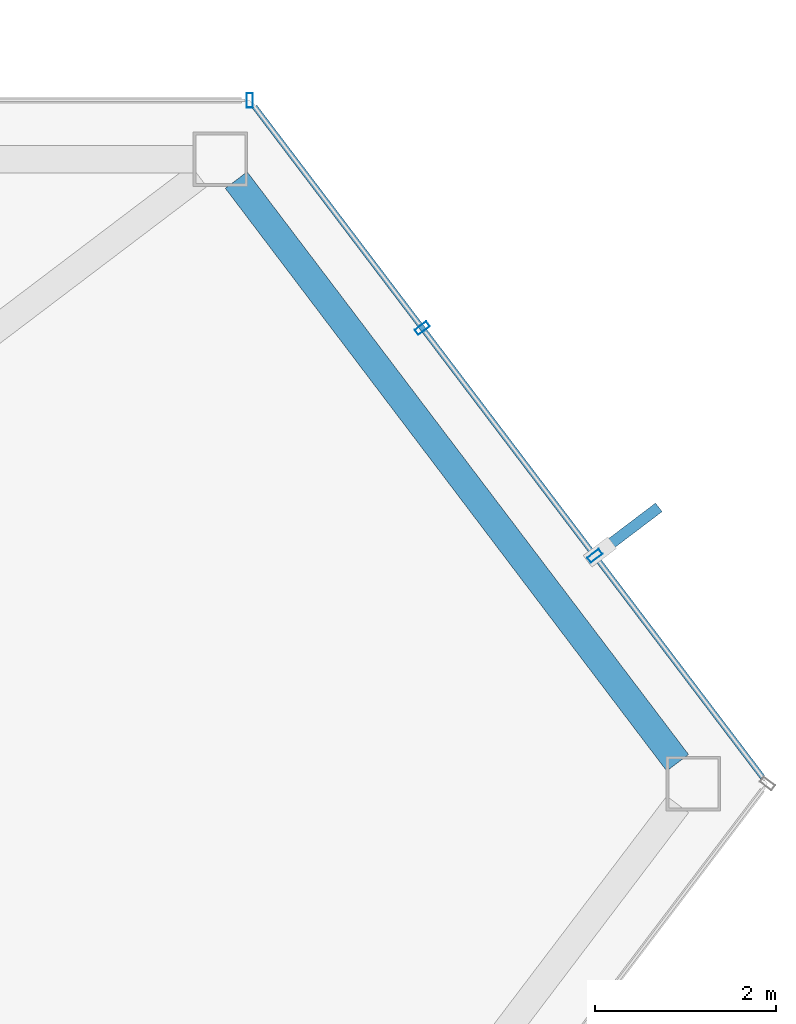
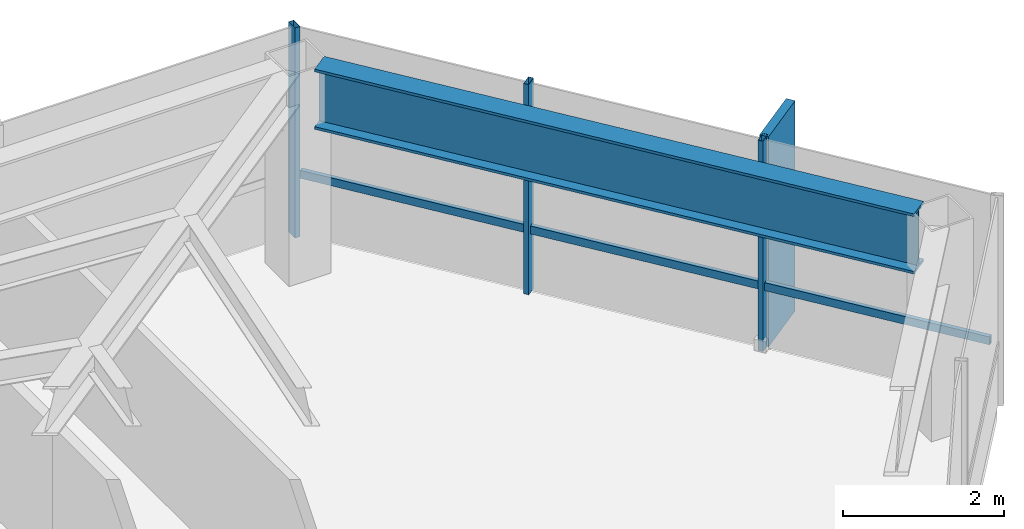
# One storey, part 20 of 25: 5 members, 1 beam, 2 elements without a shape of their own.
"""IFC4 building model written with IfcOpenShell, lengths in metres."""

import ifcopenshell
import ifcopenshell.guid

model = None  # the IFC model being written
_history = None  # IfcOwnerHistory: only IFC2X3 demands one
_inside = {}  # id of a spatial element -> (the spatial element, [elements in it])
_under = {}  # id of a project, library or spatial element -> (it, [spatial elements below it])
_declared = {}  # id of a project -> (the project, [libraries it declares])
_typed = {}  # id of a type object -> (the type object, [elements of that type])
_made_of = {}  # id of a material, layer set ... -> (it, [elements and type objects made of it])


def new_model(schema):
    """Start an empty IFC model of exactly this schema.

    Asked for "IFC4X3", IfcOpenShell would pick the latest addendum, in which some entities
    have other attributes; the version numbers below select the first issue.
    IFC2X3 requires an IfcOwnerHistory on every rooted entity: one is made here for all.
    """
    global model, _history
    if schema == "IFC4X3":
        model = ifcopenshell.file(schema_version=(4, 3, 0, 0))
    else:
        model = ifcopenshell.file(schema=schema)
    _inside.clear()
    _under.clear()
    _declared.clear()
    _typed.clear()
    _made_of.clear()
    _history = None
    if model.schema == "IFC2X3":
        org = make("IfcOrganization", Name="unknown")
        user = make(
            "IfcPersonAndOrganization",
            ThePerson=make("IfcPerson", FamilyName="unknown"),
            TheOrganization=org,
        )
        app = make(
            "IfcApplication",
            ApplicationDeveloper=org,
            Version="unknown",
            ApplicationFullName="unknown",
            ApplicationIdentifier="unknown",
        )
        _history = make(
            "IfcOwnerHistory",
            OwningUser=user,
            OwningApplication=app,
            ChangeAction="ADDED",
            CreationDate=0,
        )
    return model


def make(cls, **values):
    """One entity of the class cls with the attributes given. An attribute that is None is left unset."""
    return model.create_entity(
        cls, **{name: value for name, value in values.items() if value is not None}
    )


def rooted(cls, **values):
    """An entity with a GlobalId (a new one), such as an element, a storey or a relation."""
    return make(cls, GlobalId=ifcopenshell.guid.new(), OwnerHistory=_history, **values)


def si_unit(unit_type, name, prefix=None):
    """IfcSIUnit, for example si_unit("LENGTHUNIT", "METRE", prefix="MILLI")."""
    return make("IfcSIUnit", UnitType=unit_type, Prefix=prefix, Name=name)


def assignment(units):
    """IfcUnitAssignment: the units of a project."""
    return None if units is None else make("IfcUnitAssignment", Units=units)


def point(xyz):
    """IfcCartesianPoint."""
    return None if xyz is None else make("IfcCartesianPoint", Coordinates=xyz)


def direction(xyz):
    """IfcDirection."""
    return None if xyz is None else make("IfcDirection", DirectionRatios=xyz)


def frame(location, z_axis=None, x_axis=None):
    """IfcAxis2Placement3D, a coordinate frame: its origin and axes. An axis left out is left unset."""
    return make(
        "IfcAxis2Placement3D",
        Location=point(location),
        Axis=direction(z_axis),
        RefDirection=direction(x_axis),
    )


def frame_2d(location, x_axis=None):
    """IfcAxis2Placement2D, a coordinate frame in the plane: its origin and x axis."""
    return make(
        "IfcAxis2Placement2D", Location=point(location), RefDirection=direction(x_axis)
    )


def origin():
    """The frame at (0, 0, 0) with its axes left unset."""
    return frame((0.0, 0.0, 0.0))


def origin_2d():
    """The frame at (0, 0) in the plane with its x axis left unset."""
    return frame_2d((0.0, 0.0))


def place(relative_to, where):
    """IfcLocalPlacement: puts the frame where relative to a parent placement (None: the world)."""
    return make(
        "IfcLocalPlacement", PlacementRelTo=relative_to, RelativePlacement=where
    )


def context(
    kind, dimensions, precision=None, world=None, true_north=None, identifier=None
):
    """IfcGeometricRepresentationContext, for example the 3D "Model" context."""
    return make(
        "IfcGeometricRepresentationContext",
        ContextIdentifier=identifier,
        ContextType=kind,
        CoordinateSpaceDimension=dimensions,
        Precision=precision,
        WorldCoordinateSystem=world,
        TrueNorth=true_north,
    )


def subcontext(parent, identifier, kind, view, scale=None):
    """IfcGeometricRepresentationSubContext, for example "Body" below "Model"."""
    return make(
        "IfcGeometricRepresentationSubContext",
        ContextIdentifier=identifier,
        ContextType=kind,
        ParentContext=parent,
        TargetScale=scale,
        TargetView=view,
    )


def project(units=None, contexts=None):
    """IfcProject with its units and contexts."""
    return rooted(
        "IfcProject",
        Name="project",
        RepresentationContexts=contexts,
        UnitsInContext=assignment(units),
    )


def spatial(cls, under=None, at=None, **own):
    """A site, building, storey or space (cls), placed at a placement, below another one or the project."""
    s = rooted(cls, ObjectPlacement=at, **own)
    if under is not None:
        _under.setdefault(under.id(), (under, []))[1].append(s)
    return s


def profile(cls, at=None, kind="AREA", **sizes):
    """A parametric profile (cls). Its sizes go by their IFC names, for example OverallWidth=200.0."""
    return make(cls, ProfileType=kind, Position=at, **sizes)


def rectangle(**sizes):
    """IfcRectangleProfileDef."""
    return profile("IfcRectangleProfileDef", **sizes)


def hollow_rectangle(**sizes):
    """IfcRectangleHollowProfileDef."""
    return profile("IfcRectangleHollowProfileDef", **sizes)


def i_section(**sizes):
    """IfcIShapeProfileDef."""
    return profile("IfcIShapeProfileDef", **sizes)


def extrude(swept, where, along, depth):
    """IfcExtrudedAreaSolid: the profile swept, set in the frame where, extruded along a direction by depth."""
    return make(
        "IfcExtrudedAreaSolid",
        SweptArea=swept,
        Position=where,
        ExtrudedDirection=direction(along),
        Depth=depth,
    )


def shape(context_of_items, identifier, shape_type, items):
    """IfcShapeRepresentation: the items that make up one representation, for example the "Body"."""
    return make(
        "IfcShapeRepresentation",
        ContextOfItems=context_of_items,
        RepresentationIdentifier=identifier,
        RepresentationType=shape_type,
        Items=items,
    )


def material(Name=None, Category=None):
    """IfcMaterial."""
    return make("IfcMaterial", Name=Name, Category=Category)


def layer(
    of_material, thickness, ventilated=None, Name=None, Category=None, Priority=None
):
    """IfcMaterialLayer: one layer of a wall or slab, of a material (None: an air gap)."""
    return make(
        "IfcMaterialLayer",
        Material=of_material,
        LayerThickness=thickness,
        IsVentilated=ventilated,
        Name=Name,
        Category=Category,
        Priority=Priority,
    )


def layer_set(layers, Name=None):
    """IfcMaterialLayerSet."""
    return make("IfcMaterialLayerSet", MaterialLayers=layers, LayerSetName=Name)


def material_profile(
    of_material, cross_section, Name=None, Category=None, Priority=None
):
    """IfcMaterialProfile: a cross section and its material."""
    return make(
        "IfcMaterialProfile",
        Name=Name,
        Material=of_material,
        Profile=cross_section,
        Priority=Priority,
        Category=Category,
    )


def profile_set(profiles, Name=None, composite=None):
    """IfcMaterialProfileSet."""
    return make(
        "IfcMaterialProfileSet",
        Name=Name,
        MaterialProfiles=profiles,
        CompositeProfile=composite,
    )


def made_of(thing, what):
    """Note that an element or type object is made of a material, layer set ...; save() writes the relation."""
    if what is not None:
        _made_of.setdefault(what.id(), (what, []))[1].append(thing)
    return thing


def type_object(cls, material=None, **own):
    """A type object (cls), such as IfcWallType, which elements share."""
    return made_of(rooted(cls, **own), material)


def element(
    cls,
    number,
    at=None,
    inside=None,
    cuts=None,
    type_object=None,
    material=None,
    context=None,
    identifier="Body",
    shape_type=None,
    held_by="IfcProductDefinitionShape",
    body=None,
    shapes=None,
    **own,
):
    """One element of the class cls, such as IfcWall. Its Tag is "e" and its number.

    at: its placement. inside: the storey or other place that contains it. cuts: it is an
    opening in that element (IfcRelVoidsElement). A single representation is given by context,
    identifier, shape_type and body (its items); several are given by shapes. held_by: the class
    of the entity that holds the representations. save() writes the other relations.
    """
    e = rooted(cls, Tag="e%d" % number, ObjectPlacement=at, **own)
    if body is not None:
        shapes = [shape(context, identifier, shape_type, body)]
    if shapes is not None:
        e.Representation = make(held_by, Representations=shapes)
    if inside is not None:
        _inside.setdefault(inside.id(), (inside, []))[1].append(e)
    if cuts is not None:
        rooted(
            "IfcRelVoidsElement", RelatingBuildingElement=cuts, RelatedOpeningElement=e
        )
    if type_object is not None:
        _typed.setdefault(type_object.id(), (type_object, []))[1].append(e)
    return made_of(e, material)


def aggregate(whole, parts):
    """IfcRelAggregates: a whole, such as a stair, and the parts it consists of."""
    return rooted("IfcRelAggregates", RelatingObject=whole, RelatedObjects=parts)


def save(model, path):
    """Write the relations noted so far, then the file.

    IfcRelAggregates (storeys below a building ...), IfcRelContainedInSpatialStructure (elements
    in a storey), IfcRelDefinesByType, IfcRelAssociatesMaterial and IfcRelDeclares: one each for
    every whole, place, type object, material and project.
    """
    for whole, parts in _under.values():
        aggregate(whole, parts)
    for where, things in _inside.values():
        rooted(
            "IfcRelContainedInSpatialStructure",
            RelatedElements=things,
            RelatingStructure=where,
        )
    for kind, things in _typed.values():
        rooted("IfcRelDefinesByType", RelatedObjects=things, RelatingType=kind)
    for what, things in _made_of.values():
        rooted("IfcRelAssociatesMaterial", RelatedObjects=things, RelatingMaterial=what)
    for by, libraries in _declared.values():
        rooted("IfcRelDeclares", RelatingContext=by, RelatedDefinitions=libraries)
    model.write(path)


model = new_model("IFC4")

# Units and contexts
model_context = context("Model", 3, precision=1e-05, world=origin(), true_north=direction((0.0, 1.0)))
body_context = subcontext(model_context, "Body", "Model", "MODEL_VIEW")
ifc_project = project(units=[si_unit("LENGTHUNIT", "METRE"), si_unit("AREAUNIT", "SQUARE_METRE"), si_unit("VOLUMEUNIT", "CUBIC_METRE"), si_unit("PLANEANGLEUNIT", "RADIAN"), si_unit("MASSUNIT", "GRAM", prefix="KILO")], contexts=[model_context])

# Site, building, storey
site_placement = place(None, origin())
site = spatial("IfcSite", under=ifc_project, at=site_placement, CompositionType="ELEMENT")
building_placement = place(site_placement, origin())
building = spatial("IfcBuilding", under=site, at=building_placement, Name="Zarrinselat Tower", CompositionType="ELEMENT")
storey_placement = place(building_placement, frame((0.0, 0.0, 208.760009765625)))
storey = spatial("IfcBuildingStorey", under=building, at=storey_placement, Name="L51", CompositionType="ELEMENT", Elevation=208.760009765625)

# Beam
ifc_material_1 = material(Name="Steel S460M", Category="steel")
ifc_material_profile_1 = material_profile(ifc_material_1, i_section(OverallWidth=0.302001953125, OverallDepth=0.909912109375, WebThickness=0.02099609375, FlangeThickness=0.0400390625, at=origin_2d()), Name="HEM 900")
ifc_profile_set_1 = profile_set([ifc_material_profile_1], Name="Steel S460M")
beam_type = type_object("IfcBeamType", Name="BM-HEM900", PredefinedType="BEAM", material=ifc_profile_set_1)
beam_placement = place(storey_placement, frame((56.39208984375, 47.531494140625, 2.72509765625), z_axis=(0.603860604032, -0.797089939027, 0.0), x_axis=(0.797089939027, 0.603860604032, 0.0)))
element("IfcBeam", 1, at=beam_placement, inside=storey, type_object=beam_type, Name="L51 Perimeter Spandrel Girder SP15", PredefinedType="BEAM", context=body_context, shape_type="SweptSolid", body=[
    extrude(i_section(OverallWidth=0.302001953125, OverallDepth=0.909912109375, WebThickness=0.02099609375, FlangeThickness=0.0400390625, at=origin_2d()), origin(), (0.0, 0.0, 1.0), 8.059814453125),
])

# Curtain wall, member
ifc_material_2 = material(Name="Extruded Aluminium Alloy EN AW-6063 T6", Category="aluminium")
ifc_layer = layer(ifc_material_2, 0.169921875)
ifc_layer_set = layer_set([ifc_layer], Name="Extruded Aluminium Alloy EN AW-6063 T6")
curtain_wall_type = type_object("IfcCurtainWallType", Name="CWS-RES", PredefinedType="NOTDEFINED", material=ifc_layer_set)
curtain_wall_1_placement = place(storey_placement, origin())
curtain_wall_1 = element("IfcCurtainWall", 2, at=curtain_wall_1_placement, inside=storey, type_object=curtain_wall_type, Name="L51 Unitised Curtain Wall CW-L51-E01", PredefinedType="NOTDEFINED")
ifc_material_3 = material(Name="Extruded Aluminium Alloy EN AW-6063 T6", Category="aluminium")
ifc_material_profile_2 = material_profile(ifc_material_3, hollow_rectangle(XDim=0.070068359375, YDim=0.159912109375, WallThickness=0.00390625, at=origin_2d()), Name="RHS 160x70x4")
ifc_profile_set_2 = profile_set([ifc_material_profile_2], Name="Extruded Aluminium Alloy EN AW-6063 T6")
member_type_1 = type_object("IfcMemberType", Name="MEM-CW-MUL2", PredefinedType="MULLION", material=ifc_profile_set_2)
member_1_placement = place(storey_placement, frame((56.541259765625, 48.4111328125, 0.0), z_axis=(0.0, 0.0, 1.0), x_axis=(-1.0, 0.0, 0.0)))
member_1 = element("IfcMember", 3, at=member_1_placement, type_object=member_type_1, Name="CW-L51-E01 Mullion 0", PredefinedType="MULLION", context=body_context, shape_type="SweptSolid", body=[
    extrude(hollow_rectangle(XDim=0.070068359375, YDim=0.159912109375, WallThickness=0.00390625, at=origin_2d()), origin(), (0.0, 0.0, 1.0), 3.179931640625),
])
aggregate(curtain_wall_1, [member_1])

# Curtain wall, members
curtain_wall_2_placement = place(storey_placement, origin())
curtain_wall_2 = element("IfcCurtainWall", 4, at=curtain_wall_2_placement, inside=storey, type_object=curtain_wall_type, Name="L51 Unitised Curtain Wall CW-L51-E06", PredefinedType="NOTDEFINED")
member_2_placement = place(storey_placement, frame((60.345947265625, 43.388916015625, 0.0), z_axis=(0.0, 0.0, 1.0), x_axis=(-0.603857891707, 0.797091993827, 0.0)))
member_2 = element("IfcMember", 5, at=member_2_placement, type_object=member_type_1, Name="CW-L51-E06 Mullion 1", PredefinedType="MULLION", context=body_context, shape_type="SweptSolid", body=[
    extrude(hollow_rectangle(XDim=0.070068359375, YDim=0.159912109375, WallThickness=0.00390625, at=origin_2d()), origin(), (0.0, 0.0, 1.0), 3.179931640625),
])
member_3_placement = place(storey_placement, frame((58.443603515625, 45.89990234375, 0.0), z_axis=(0.0, 0.0, 1.0), x_axis=(-0.603857891707, 0.797091993827, 0.0)))
member_3 = element("IfcMember", 6, at=member_3_placement, type_object=member_type_1, Name="CW-L51-E06 Mullion 2", PredefinedType="MULLION", context=body_context, shape_type="SweptSolid", body=[
    extrude(hollow_rectangle(XDim=0.070068359375, YDim=0.159912109375, WallThickness=0.00390625, at=origin_2d()), origin(), (0.0, 0.0, 1.0), 3.179931640625),
])
ifc_material_4 = material(Name="Extruded Aluminium Alloy EN AW-6063 T6", Category="aluminium")
ifc_material_profile_3 = material_profile(ifc_material_4, hollow_rectangle(XDim=0.06005859375, YDim=0.1201171875, WallThickness=0.00390625, at=origin_2d()), Name="RHS 120x60x4")
ifc_profile_set_3 = profile_set([ifc_material_profile_3], Name="Extruded Aluminium Alloy EN AW-6063 T6")
member_type_2 = type_object("IfcMemberType", Name="MEM-CW-TRN2", PredefinedType="USERDEFINED", material=ifc_profile_set_3)
member_4_placement = place(storey_placement, frame((62.194091796875, 40.94921875, 0.949951171875), z_axis=(-0.603860729921, 0.797089843656, 0.0), x_axis=(-0.797089843656, -0.603860729921, 0.0)))
member_4 = element("IfcMember", 7, at=member_4_placement, type_object=member_type_2, Name="CW-L51-E06 Transom 1", ObjectType="TRANSOM", PredefinedType="USERDEFINED", context=body_context, shape_type="SweptSolid", body=[
    extrude(hollow_rectangle(XDim=0.06005859375, YDim=0.1201171875, WallThickness=0.00390625, at=origin_2d()), origin(), (0.0, 0.0, 1.0), 9.271484375),
])
ifc_material_5 = material(Name="Honed Cream Travertine Stone", Category="masonry")
ifc_material_profile_4 = material_profile(ifc_material_5, rectangle(XDim=0.1201171875, YDim=0.85009765625, at=origin_2d()), Name="FIN 850x120")
ifc_profile_set_4 = profile_set([ifc_material_profile_4], Name="Honed Cream Travertine Stone")
member_type_3 = type_object("IfcMemberType", Name="MEM-STONE-FIN", PredefinedType="USERDEFINED", material=ifc_profile_set_4)
member_5_placement = place(storey_placement, frame((60.712646484375, 43.66650390625, 0.0), z_axis=(0.0, 0.0, 1.0), x_axis=(0.603857891707, -0.797091993827, 0.0)))
member_5 = element("IfcMember", 8, at=member_5_placement, type_object=member_type_3, Name="L51 Stone Shading Fin CW-L51-E06-01", ObjectType="FIN", PredefinedType="USERDEFINED", context=body_context, shape_type="SweptSolid", body=[
    extrude(rectangle(XDim=0.1201171875, YDim=0.85009765625, at=origin_2d()), origin(), (0.0, 0.0, 1.0), 3.179931640625),
])
aggregate(curtain_wall_2, [member_2, member_5, member_3, member_4])

save(model, "model.ifc")
